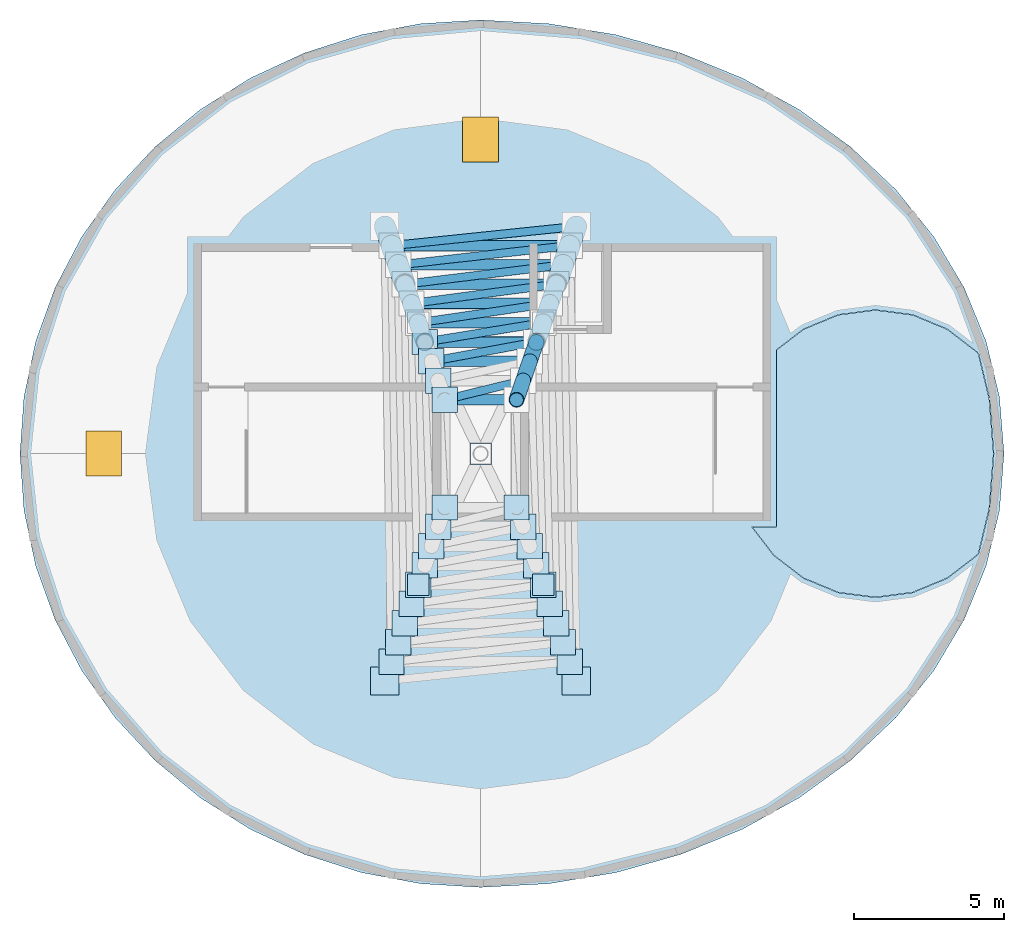
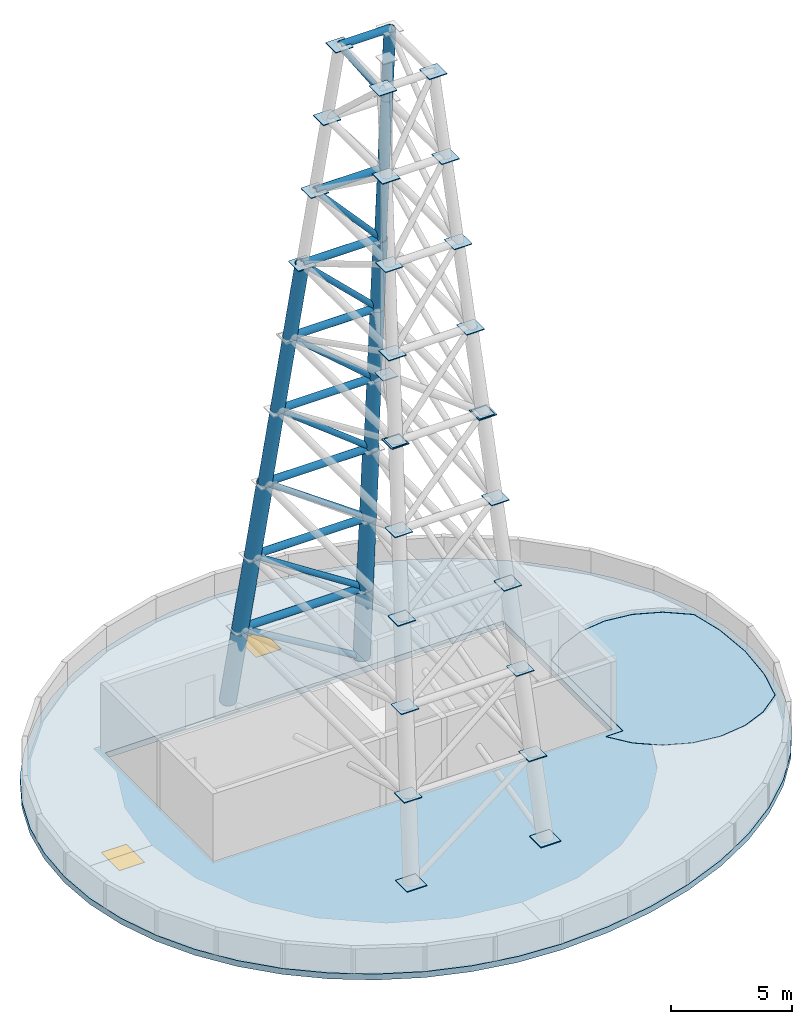
# One storey, part 2 of 4: 31 members, 27 plates, 2 slabs, 2 windows, 2 openings.
"""IFC4 building model written with IfcOpenShell, lengths in metres."""

from ifc_helpers import new_model, si_unit, direction, frame, origin, origin_2d, place, context, subcontext, project, spatial, polyline, rectangle, hollow_circle, outline, extrude, material, layer, layer_set, material_profile, profile_set, type_object, element, fill, save


model = new_model("IFC4")

# Units and contexts
model_context = context("Model", 3, precision=1e-05, world=origin(), true_north=direction((0.0, 1.0)))
body_context = subcontext(model_context, "Body", "Model", "MODEL_VIEW")
ifc_project = project(units=[si_unit("LENGTHUNIT", "METRE"), si_unit("AREAUNIT", "SQUARE_METRE"), si_unit("VOLUMEUNIT", "CUBIC_METRE"), si_unit("PLANEANGLEUNIT", "RADIAN"), si_unit("MASSUNIT", "GRAM", prefix="KILO")], contexts=[model_context])

# Site, building, storey
site_placement = place(None, origin())
site = spatial("IfcSite", under=ifc_project, at=site_placement, CompositionType="ELEMENT")
building_placement = place(site_placement, origin())
building = spatial("IfcBuilding", under=site, at=building_placement, Name="Lazwardi Medical Tower", CompositionType="ELEMENT")
storey_placement = place(building_placement, frame((0.0, 0.0, 316.0)))
storey = spatial("IfcBuildingStorey", under=building, at=storey_placement, Name="RF", CompositionType="ELEMENT", Elevation=316.0)

# Members
ifc_material_1 = material(Name="Steel S460", Category="steel")
ifc_material_profile_1 = material_profile(ifc_material_1, hollow_circle(Radius=0.177734375, WallThickness=0.01611328125, at=origin_2d()), Name="CHS 355.6x16")
ifc_profile_set_1 = profile_set([ifc_material_profile_1], Name="Steel S460")
member_type_1 = type_object("IfcMemberType", Name="MEM-MB-01", PredefinedType="BRACE", material=ifc_profile_set_1)
member_1_placement = place(storey_placement, frame((38.977783203125, 34.95556640625, 4.0), z_axis=(-1.0, 0.0, 0.0), x_axis=(0.0, -1.0, 0.0)))
element("IfcMember", 1, at=member_1_placement, inside=storey, type_object=member_type_1, Name="Broadcast Mast ring strut MB-01 F3 B1", PredefinedType="BRACE", context=body_context, shape_type="SweptSolid", body=[
    extrude(hollow_circle(Radius=0.177734375, WallThickness=0.01611328125, at=origin_2d()), origin(), (0.0, 0.0, 1.0), 5.95556640625),
])
member_2_placement = place(storey_placement, frame((38.755615234375, 34.31103515625, 8.0), z_axis=(-1.0, 0.0, 0.0), x_axis=(0.0, -1.0, 0.0)))
element("IfcMember", 2, at=member_2_placement, inside=storey, type_object=member_type_1, Name="Broadcast Mast ring strut MB-01 F3 B2", PredefinedType="BRACE", context=body_context, shape_type="SweptSolid", body=[
    extrude(hollow_circle(Radius=0.177734375, WallThickness=0.01611328125, at=origin_2d()), origin(), (0.0, 0.0, 1.0), 5.51123046875),
])
member_3_placement = place(storey_placement, frame((38.533203125, 33.666748046875, 12.0), z_axis=(-1.0, 0.0, 0.0), x_axis=(0.0, -1.0, 0.0)))
element("IfcMember", 3, at=member_3_placement, inside=storey, type_object=member_type_1, Name="Broadcast Mast ring strut MB-01 F3 B3", PredefinedType="BRACE", context=body_context, shape_type="SweptSolid", body=[
    extrude(hollow_circle(Radius=0.177734375, WallThickness=0.01611328125, at=origin_2d()), origin(), (0.0, 0.0, 1.0), 5.06640625),
])
member_4_placement = place(storey_placement, frame((38.31103515625, 33.022216796875, 16.0), z_axis=(-1.0, 0.0, 0.0), x_axis=(0.0, -1.0, 0.0)))
element("IfcMember", 4, at=member_4_placement, inside=storey, type_object=member_type_1, Name="Broadcast Mast ring strut MB-01 F3 B4", PredefinedType="BRACE", context=body_context, shape_type="SweptSolid", body=[
    extrude(hollow_circle(Radius=0.177734375, WallThickness=0.01611328125, at=origin_2d()), origin(), (0.0, 0.0, 1.0), 4.6220703125),
])
member_5_placement = place(storey_placement, frame((38.0888671875, 32.377685546875, 20.0), z_axis=(-1.0, 0.0, 0.0), x_axis=(0.0, -1.0, 0.0)))
element("IfcMember", 5, at=member_5_placement, inside=storey, type_object=member_type_1, Name="Broadcast Mast ring strut MB-01 F3 B5", PredefinedType="BRACE", context=body_context, shape_type="SweptSolid", body=[
    extrude(hollow_circle(Radius=0.177734375, WallThickness=0.01611328125, at=origin_2d()), origin(), (0.0, 0.0, 1.0), 4.177734375),
])
member_6_placement = place(storey_placement, frame((37.86669921875, 31.7333984375, 24.0), z_axis=(-1.0, 0.0, 0.0), x_axis=(0.0, -1.0, 0.0)))
element("IfcMember", 6, at=member_6_placement, inside=storey, type_object=member_type_1, Name="Broadcast Mast ring strut MB-01 F3 B6", PredefinedType="BRACE", context=body_context, shape_type="SweptSolid", body=[
    extrude(hollow_circle(Radius=0.177734375, WallThickness=0.01611328125, at=origin_2d()), origin(), (0.0, 0.0, 1.0), 3.7333984375),
])
member_7_placement = place(storey_placement, frame((37.644287109375, 31.0888671875, 28.0), z_axis=(-1.0, 0.0, 0.0), x_axis=(0.0, -1.0, 0.0)))
element("IfcMember", 7, at=member_7_placement, inside=storey, type_object=member_type_1, Name="Broadcast Mast ring strut MB-01 F3 B7", PredefinedType="BRACE", context=body_context, shape_type="SweptSolid", body=[
    extrude(hollow_circle(Radius=0.177734375, WallThickness=0.01611328125, at=origin_2d()), origin(), (0.0, 0.0, 1.0), 3.28857421875),
])
member_8_placement = place(storey_placement, frame((37.201171875, 29.80322265625, 35.97998046875), z_axis=(-1.0, 0.0, 0.0), x_axis=(0.0, -1.0, 0.0)))
element("IfcMember", 8, at=member_8_placement, inside=storey, type_object=member_type_1, Name="Broadcast Mast ring strut MB-01 F3 B9", PredefinedType="BRACE", context=body_context, shape_type="SweptSolid", body=[
    extrude(hollow_circle(Radius=0.177734375, WallThickness=0.01611328125, at=origin_2d()), origin(), (0.0, 0.0, 1.0), 2.40234375),
])
ifc_material_profile_2 = material_profile(ifc_material_1, hollow_circle(Radius=0.136474609375, WallThickness=0.012451171875, at=origin_2d()), Name="CHS 273x12.5")
ifc_profile_set_2 = profile_set([ifc_material_profile_2], Name="Steel S460")
member_type_2 = type_object("IfcMemberType", Name="MEM-MB-02", PredefinedType="BRACE", material=ifc_profile_set_2)
member_9_placement = place(storey_placement, frame((39.198974609375, 35.5966796875, 0.02001953125), z_axis=(-0.837426543672, -0.086920241252, 0.539593972923), x_axis=(0.103239839759, -0.9946564912, 0.0)))
element("IfcMember", 9, at=member_9_placement, inside=storey, type_object=member_type_2, Name="Broadcast Mast lattice brace MB-02 F3 B1", PredefinedType="BRACE", context=body_context, shape_type="SweptSolid", body=[
    extrude(hollow_circle(Radius=0.136474609375, WallThickness=0.012451171875, at=origin_2d()), origin(), (0.0, 0.0, 1.0), 7.3759765625),
])
member_10_placement = place(storey_placement, frame((38.977783203125, 34.95556640625, 4.0), z_axis=(-0.816666434156, -0.091807161734, 0.569760809794), x_axis=(0.111713288479, -0.993740479792, 0.0)))
element("IfcMember", 10, at=member_10_placement, inside=storey, type_object=member_type_2, Name="Broadcast Mast lattice brace MB-02 F3 B2", PredefinedType="BRACE", context=body_context, shape_type="SweptSolid", body=[
    extrude(hollow_circle(Radius=0.136474609375, WallThickness=0.012451171875, at=origin_2d()), origin(), (0.0, 0.0, 1.0), 7.0205078125),
])
member_11_placement = place(storey_placement, frame((38.755615234375, 34.31103515625, 8.0), z_axis=(-0.793838569591, -0.096705903391, 0.600390117905), x_axis=(0.120926628878, -0.992661448042, 0.0)))
element("IfcMember", 11, at=member_11_placement, inside=storey, type_object=member_type_2, Name="Broadcast Mast lattice brace MB-02 F3 B3", PredefinedType="BRACE", context=body_context, shape_type="SweptSolid", body=[
    extrude(hollow_circle(Radius=0.136474609375, WallThickness=0.012451171875, at=origin_2d()), origin(), (0.0, 0.0, 1.0), 6.662353515625),
])
member_12_placement = place(storey_placement, frame((38.533203125, 33.666748046875, 12.0), z_axis=(-0.767072968437, -0.102059905084, 0.633389956399), x_axis=(0.131888837519, -0.991264512901, 0.0)))
element("IfcMember", 12, at=member_12_placement, inside=storey, type_object=member_type_2, Name="Broadcast Mast lattice brace MB-02 F3 B4", PredefinedType="BRACE", context=body_context, shape_type="SweptSolid", body=[
    extrude(hollow_circle(Radius=0.136474609375, WallThickness=0.012451171875, at=origin_2d()), origin(), (0.0, 0.0, 1.0), 6.315185546875),
])
member_13_placement = place(storey_placement, frame((38.31103515625, 33.022216796875, 16.0), z_axis=(-0.735623983072, -0.107759811081, 0.668763918469), x_axis=(0.144940765818, -0.989440333928, 0.0)))
element("IfcMember", 13, at=member_13_placement, inside=storey, type_object=member_type_2, Name="Broadcast Mast lattice brace MB-02 F3 B5", PredefinedType="BRACE", context=body_context, shape_type="SweptSolid", body=[
    extrude(hollow_circle(Radius=0.136474609375, WallThickness=0.012451171875, at=origin_2d()), origin(), (0.0, 0.0, 1.0), 5.981201171875),
])
member_14_placement = place(storey_placement, frame((38.0888671875, 32.377685546875, 20.0), z_axis=(-0.698579772448, -0.113785459788, 0.706427045537), x_axis=(0.160762549197, -0.986993111818, 0.0)))
element("IfcMember", 14, at=member_14_placement, inside=storey, type_object=member_type_2, Name="Broadcast Mast lattice brace MB-02 F3 B6", PredefinedType="BRACE", context=body_context, shape_type="SweptSolid", body=[
    extrude(hollow_circle(Radius=0.136474609375, WallThickness=0.012451171875, at=origin_2d()), origin(), (0.0, 0.0, 1.0), 5.662353515625),
])
member_15_placement = place(storey_placement, frame((37.86669921875, 31.7333984375, 24.0), z_axis=(-0.654888372799, -0.120221493929, 0.746101877474), x_axis=(0.180558353603, -0.983564273926, 0.0)))
element("IfcMember", 15, at=member_15_placement, inside=storey, type_object=member_type_2, Name="Broadcast Mast lattice brace MB-02 F3 B7", PredefinedType="BRACE", context=body_context, shape_type="SweptSolid", body=[
    extrude(hollow_circle(Radius=0.136474609375, WallThickness=0.012451171875, at=origin_2d()), origin(), (0.0, 0.0, 1.0), 5.361083984375),
])
member_16_placement = place(storey_placement, frame((37.422119140625, 30.4443359375, 32.0), z_axis=(-0.545420155247, -0.133296726634, 0.827495520785), x_axis=(0.237405696647, -0.97141059043, 0.0)))
element("IfcMember", 16, at=member_16_placement, inside=storey, type_object=member_type_2, Name="Broadcast Mast lattice brace MB-02 F3 B9", PredefinedType="BRACE", context=body_context, shape_type="SweptSolid", body=[
    extrude(hollow_circle(Radius=0.136474609375, WallThickness=0.012451171875, at=origin_2d()), origin(), (0.0, 0.0, 1.0), 4.8095703125),
])
ifc_material_profile_3 = material_profile(ifc_material_1, hollow_circle(Radius=0.35546875, WallThickness=0.031982421875, at=origin_2d()), Name="CHS 711x32")
ifc_profile_set_3 = profile_set([ifc_material_profile_3], Name="Steel S460")
member_type_3 = type_object("IfcMemberType", Name="MEM-ML-01", PredefinedType="POST", material=ifc_profile_set_3)
for number, where, z_axis, x_axis, name in (
    (17, (39.199951171875, 35.60009765625, 0.02001953125), (-0.055020017926, -0.159618513542, 0.985644321123), (0.945411031533, -0.325880317687, 0.0), "Broadcast Mast leg ML-01 L3 tier 1"),
    (18, (32.800048828125, 35.60009765625, 0.02001953125), (0.055020017926, -0.159618513542, 0.985644321123), (0.945411031533, 0.325880317687, 0.0), "Broadcast Mast leg ML-01 L4 tier 1"),
):
    element("IfcMember", number, at=place(storey_placement, frame(where, z_axis=z_axis, x_axis=x_axis)), inside=storey, type_object=member_type_3, Name=name, PredefinedType="POST", context=body_context, shape_type="SweptSolid", body=[
        extrude(hollow_circle(Radius=0.35546875, WallThickness=0.031982421875, at=origin_2d()), origin(), (0.0, 0.0, 1.0), 4.037841796875),
    ])
for number, where, z_axis, x_axis, name in (
    (19, (38.977783203125, 34.95556640625, 4.0), (-0.054752441478, -0.158842247803, 0.985784616671), (0.945411031533, -0.325880317687, 0.0), "Broadcast Mast leg ML-01 L3 tier 2"),
    (20, (33.022216796875, 34.95556640625, 4.0), (0.054752441478, -0.158842247803, 0.985784616671), (0.945411031533, 0.325880317687, 0.0), "Broadcast Mast leg ML-01 L4 tier 2"),
    (21, (38.755615234375, 34.31103515625, 8.0), (-0.054812952082, -0.158783074144, 0.985790786957), (0.945262539536, -0.32631078951, 0.0), "Broadcast Mast leg ML-01 L3 tier 3"),
    (22, (33.244384765625, 34.31103515625, 8.0), (0.054812952082, -0.158783074144, 0.985790786957), (0.945262539536, 0.32631078951, 0.0), "Broadcast Mast leg ML-01 L4 tier 3"),
):
    element("IfcMember", number, at=place(storey_placement, frame(where, z_axis=z_axis, x_axis=x_axis)), inside=storey, type_object=member_type_3, Name=name, PredefinedType="POST", context=body_context, shape_type="SweptSolid", body=[
        extrude(hollow_circle(Radius=0.35546875, WallThickness=0.031982421875, at=origin_2d()), origin(), (0.0, 0.0, 1.0), 4.0576171875),
    ])
ifc_material_profile_4 = material_profile(ifc_material_1, hollow_circle(Radius=0.304931640625, WallThickness=0.028076171875, at=origin_2d()), Name="CHS 610x28")
ifc_profile_set_4 = profile_set([ifc_material_profile_4], Name="Steel S460")
member_type_4 = type_object("IfcMemberType", Name="MEM-ML-02", PredefinedType="POST", material=ifc_profile_set_4)
for number, where, z_axis, x_axis, name in (
    (23, (38.533203125, 33.666748046875, 12.0), (-0.054752441478, -0.158842247803, 0.985784616671), (0.945411031533, -0.325880317687, 0.0), "Broadcast Mast leg ML-02 L3 tier 4"),
    (24, (33.466796875, 33.666748046875, 12.0), (0.054752441478, -0.158842247803, 0.985784616671), (0.945411031533, 0.325880317687, 0.0), "Broadcast Mast leg ML-02 L4 tier 4"),
    (25, (38.31103515625, 33.022216796875, 16.0), (-0.054752441478, -0.158842247803, 0.985784616671), (0.945411031533, -0.325880317687, 0.0), "Broadcast Mast leg ML-02 L3 tier 5"),
    (26, (33.68896484375, 33.022216796875, 16.0), (0.054752441478, -0.158842247803, 0.985784616671), (0.945411031533, 0.325880317687, 0.0), "Broadcast Mast leg ML-02 L4 tier 5"),
    (27, (38.0888671875, 32.377685546875, 20.0), (-0.054752964663, -0.158783597523, 0.985794036307), (0.945372981626, -0.325990683319, 0.0), "Broadcast Mast leg ML-02 L3 tier 6"),
    (28, (33.9111328125, 32.377685546875, 20.0), (0.054752964663, -0.158783597523, 0.985794036307), (0.945372981626, 0.325990683319, 0.0), "Broadcast Mast leg ML-02 L4 tier 6"),
):
    element("IfcMember", number, at=place(storey_placement, frame(where, z_axis=z_axis, x_axis=x_axis)), inside=storey, type_object=member_type_4, Name=name, PredefinedType="POST", context=body_context, shape_type="SweptSolid", body=[
        extrude(hollow_circle(Radius=0.304931640625, WallThickness=0.028076171875, at=origin_2d()), origin(), (0.0, 0.0, 1.0), 4.0576171875),
    ])
ifc_material_profile_5 = material_profile(ifc_material_1, hollow_circle(Radius=0.25390625, WallThickness=0.02490234375, at=origin_2d()), Name="CHS 508x25")
ifc_profile_set_5 = profile_set([ifc_material_profile_5], Name="Steel S460")
member_type_5 = type_object("IfcMemberType", Name="MEM-ML-03", PredefinedType="POST", material=ifc_profile_set_5)
for number, where, z_axis, x_axis, name in (
    (29, (37.86669921875, 31.7333984375, 24.0), (-0.054812428327, -0.158841724242, 0.985781367414), (0.945300659756, -0.326200341302, 0.0), "Broadcast Mast leg ML-03 L3 tier 7"),
    (30, (37.644287109375, 31.0888671875, 28.0), (-0.054752441478, -0.158842247803, 0.985784616671), (0.945411031533, -0.325880317687, 0.0), "Broadcast Mast leg ML-03 L3 tier 8"),
):
    element("IfcMember", number, at=place(storey_placement, frame(where, z_axis=z_axis, x_axis=x_axis)), inside=storey, type_object=member_type_5, Name=name, PredefinedType="POST", context=body_context, shape_type="SweptSolid", body=[
        extrude(hollow_circle(Radius=0.25390625, WallThickness=0.02490234375, at=origin_2d()), origin(), (0.0, 0.0, 1.0), 4.0576171875),
    ])
member_17_placement = place(storey_placement, frame((37.422119140625, 30.4443359375, 32.0), z_axis=(-0.055020548819, -0.159559591575, 0.9856538317), x_axis=(0.945372981626, -0.325990683319, 0.0)))
element("IfcMember", 31, at=member_17_placement, inside=storey, type_object=member_type_5, Name="Broadcast Mast leg ML-03 L3 tier 9", PredefinedType="POST", context=body_context, shape_type="SweptSolid", body=[
    extrude(hollow_circle(Radius=0.25390625, WallThickness=0.02490234375, at=origin_2d()), origin(), (0.0, 0.0, 1.0), 4.037841796875),
])

# Plates
ifc_layer_1 = layer(ifc_material_1, 0.0400390625)
ifc_layer_set_1 = layer_set([ifc_layer_1], Name="Steel S460")
plate_type = type_object("IfcPlateType", Name="PLT-GUS-01", PredefinedType="USERDEFINED", material=ifc_layer_set_1)
for number, where, z_axis, x_axis, name in (
    (32, (32.800048828125, 20.39990234375, 0.0), (0.0, 0.0, 1.0), (1.0, 0.0, 0.0), "Broadcast Mast base plate GP-01 L1"),
    (33, (39.199951171875, 20.39990234375, 0.0), (0.0, 0.0, 1.0), (1.0, 0.0, 0.0), "Broadcast Mast base plate GP-01 L2"),
):
    element("IfcPlate", number, at=place(storey_placement, frame(where, z_axis=z_axis, x_axis=x_axis)), inside=storey, type_object=plate_type, Name=name, ObjectType="GUSSET_PLATE", PredefinedType="USERDEFINED", context=body_context, shape_type="SweptSolid", body=[
        extrude(rectangle(XDim=0.949951171875, YDim=0.949951171875, at=origin_2d()), origin(), (0.0, 0.0, 1.0), 0.0400390625),
    ])
for number, where, z_axis, x_axis, name in (
    (34, (33.022216796875, 21.04443359375, 3.97998046875), (0.0, 0.0, 1.0), (1.0, 0.0, 0.0), "Broadcast Mast cap plate GP-01 L1 B1"),
    (35, (38.977783203125, 21.04443359375, 3.97998046875), (0.0, 0.0, 1.0), (1.0, 0.0, 0.0), "Broadcast Mast cap plate GP-01 L2 B1"),
    (36, (33.244384765625, 21.68896484375, 7.97998046875), (0.0, 0.0, 1.0), (1.0, 0.0, 0.0), "Broadcast Mast cap plate GP-01 L1 B2"),
    (37, (38.755615234375, 21.68896484375, 7.97998046875), (0.0, 0.0, 1.0), (1.0, 0.0, 0.0), "Broadcast Mast cap plate GP-01 L2 B2"),
    (38, (33.466796875, 22.333251953125, 11.97998046875), (0.0, 0.0, 1.0), (1.0, 0.0, 0.0), "Broadcast Mast cap plate GP-01 L1 B3"),
    (39, (38.533203125, 22.333251953125, 11.97998046875), (0.0, 0.0, 1.0), (1.0, 0.0, 0.0), "Broadcast Mast cap plate GP-01 L2 B3"),
    (40, (33.68896484375, 22.977783203125, 15.97998046875), (0.0, 0.0, 1.0), (1.0, 0.0, 0.0), "Broadcast Mast cap plate GP-01 L1 B4"),
    (41, (38.31103515625, 22.977783203125, 15.97998046875), (0.0, 0.0, 1.0), (1.0, 0.0, 0.0), "Broadcast Mast cap plate GP-01 L2 B4"),
    (42, (33.9111328125, 23.622314453125, 19.97998046875), (0.0, 0.0, 1.0), (1.0, 0.0, 0.0), "Broadcast Mast cap plate GP-01 L1 B5"),
    (43, (38.0888671875, 23.622314453125, 19.97998046875), (0.0, 0.0, 1.0), (1.0, 0.0, 0.0), "Broadcast Mast cap plate GP-01 L2 B5"),
    (44, (34.13330078125, 24.2666015625, 23.97998046875), (0.0, 0.0, 1.0), (1.0, 0.0, 0.0), "Broadcast Mast cap plate GP-01 L1 B6"),
    (45, (37.86669921875, 24.2666015625, 23.97998046875), (0.0, 0.0, 1.0), (1.0, 0.0, 0.0), "Broadcast Mast cap plate GP-01 L2 B6"),
    (46, (34.13330078125, 31.7333984375, 23.97998046875), (0.0, 0.0, 1.0), (1.0, 0.0, 0.0), "Broadcast Mast cap plate GP-01 L4 B6"),
    (47, (34.355712890625, 24.9111328125, 27.97998046875), (0.0, 0.0, 1.0), (1.0, 0.0, 0.0), "Broadcast Mast cap plate GP-01 L1 B7"),
    (48, (37.644287109375, 24.9111328125, 27.97998046875), (0.0, 0.0, 1.0), (1.0, 0.0, 0.0), "Broadcast Mast cap plate GP-01 L2 B7"),
    (49, (34.355712890625, 31.0888671875, 27.97998046875), (0.0, 0.0, 1.0), (1.0, 0.0, 0.0), "Broadcast Mast cap plate GP-01 L4 B7"),
    (50, (34.577880859375, 25.5556640625, 31.97998046875), (0.0, 0.0, 1.0), (1.0, 0.0, 0.0), "Broadcast Mast cap plate GP-01 L1 B8"),
    (51, (37.422119140625, 25.5556640625, 31.97998046875), (0.0, 0.0, 1.0), (1.0, 0.0, 0.0), "Broadcast Mast cap plate GP-01 L2 B8"),
    (52, (34.577880859375, 30.4443359375, 31.97998046875), (0.0, 0.0, 1.0), (1.0, 0.0, 0.0), "Broadcast Mast cap plate GP-01 L4 B8"),
    (53, (34.800048828125, 26.199951171875, 35.9599609375), (0.0, 0.0, 1.0), (1.0, 0.0, 0.0), "Broadcast Mast cap plate GP-01 L1 B9"),
    (54, (37.199951171875, 26.199951171875, 35.9599609375), (0.0, 0.0, 1.0), (1.0, 0.0, 0.0), "Broadcast Mast cap plate GP-01 L2 B9"),
    (55, (34.800048828125, 29.800048828125, 35.9599609375), (0.0, 0.0, 1.0), (1.0, 0.0, 0.0), "Broadcast Mast cap plate GP-01 L4 B9"),
):
    element("IfcPlate", number, at=place(storey_placement, frame(where, z_axis=z_axis, x_axis=x_axis)), inside=storey, type_object=plate_type, Name=name, ObjectType="GUSSET_PLATE", PredefinedType="USERDEFINED", context=body_context, shape_type="SweptSolid", body=[
        extrude(rectangle(XDim=0.85009765625, YDim=0.85009765625, at=origin_2d()), origin(), (0.0, 0.0, 1.0), 0.0400390625),
    ])
for number, where, z_axis, x_axis, name in (
    (56, (33.9111328125, 23.622314453125, 19.97998046875), (0.0, 0.0, 1.0), (1.0, 0.0, 0.0), "Broadcast Mast diaphragm node plate GP-01 D1"),
    (57, (38.0888671875, 23.622314453125, 19.97998046875), (0.0, 0.0, 1.0), (1.0, 0.0, 0.0), "Broadcast Mast diaphragm node plate GP-01 D2"),
    (58, (36.0, 28.0, 19.97998046875), (0.0, 0.0, 1.0), (1.0, 0.0, 0.0), "Broadcast Mast central seat plate GP-01"),
):
    element("IfcPlate", number, at=place(storey_placement, frame(where, z_axis=z_axis, x_axis=x_axis)), inside=storey, type_object=plate_type, Name=name, ObjectType="GUSSET_PLATE", PredefinedType="USERDEFINED", context=body_context, shape_type="SweptSolid", body=[
        extrude(rectangle(XDim=0.719970703125, YDim=0.719970703125, at=origin_2d()), origin(), (0.0, 0.0, 1.0), 0.0400390625),
    ])

# Slab
ifc_material_2 = material(Name="Concrete C60/75", Category="concrete")
ifc_layer_2 = layer(ifc_material_2, 0.3798828125)
ifc_layer_set_2 = layer_set([ifc_layer_2], Name="Concrete C60/75")
slab_type_1 = type_object("IfcSlabType", Name="SLB-HELI-380", PredefinedType="ROOF", material=ifc_layer_set_2)
slab_1_placement = place(storey_placement, frame((0.0, 0.0, -0.3798828125)))
element("IfcSlab", 59, at=slab_1_placement, inside=storey, type_object=slab_type_1, Name="Emergency helipad structural roof deck SR-03 RF", PredefinedType="ROOF", context=body_context, shape_type="SweptSolid", body=[
    extrude(outline(polyline([(53.003662109375, 29.837646484375), (52.646240234375, 31.326416015625), (52.593994140625, 31.39404296875), (51.60009765625, 32.156982421875), (50.4423828125, 32.636474609375), (49.199951171875, 32.800048828125), (47.957763671875, 32.636474609375), (46.800048828125, 32.156982421875), (45.89990234375, 31.46630859375), (45.89990234375, 25.550048828125), (45.081298828125, 25.550048828125), (45.805908203125, 24.60595703125), (46.800048828125, 23.843017578125), (47.957763671875, 23.363525390625), (49.199951171875, 23.199951171875), (50.4423828125, 23.363525390625), (51.60009765625, 23.843017578125), (52.593994140625, 24.60595703125), (52.646240234375, 24.673583984375), (53.003662109375, 26.162353515625), (53.14892578125, 28.0), (53.003662109375, 29.837646484375)])), origin(), (0.0, 0.0, 1.0), 0.3798828125),
])

# Slab, openings, windows
ifc_material_3 = material(Name="Concrete C50/60", Category="concrete")
ifc_layer_3 = layer(ifc_material_3, 0.300048828125)
ifc_layer_set_3 = layer_set([ifc_layer_3], Name="Concrete C50/60")
slab_type_2 = type_object("IfcSlabType", Name="SLB-ROOF-300", PredefinedType="ROOF", material=ifc_layer_set_3)
slab_2_placement = place(storey_placement, frame((0.0, 0.0, -0.300048828125)))
slab_2 = element("IfcSlab", 60, at=slab_2_placement, inside=storey, type_object=slab_type_2, Name="RF Roof Slab", PredefinedType="ROOF", context=body_context, shape_type="SweptSolid", body=[
    extrude(outline(polyline([(33.989990234375, 13.6240234375), (36.0, 13.5), (38.2841796875, 13.6240234375), (40.529296875, 13.994140625), (42.697021484375, 14.603759765625), (44.75, 15.442626953125), (46.6533203125, 16.496337890625), (48.37451171875, 17.7470703125), (49.8837890625, 19.173095703125), (51.155517578125, 20.75), (52.16796875, 22.451171875), (52.90380859375, 24.2470703125), (53.350341796875, 26.107421875), (53.5, 28.0), (53.350341796875, 29.892578125), (52.90380859375, 31.7529296875), (52.16796875, 33.548828125), (51.155517578125, 35.25), (49.8837890625, 36.826904296875), (48.37451171875, 38.2529296875), (46.6533203125, 39.503662109375), (44.75, 40.557373046875), (42.697021484375, 41.396240234375), (40.529296875, 42.005859375), (38.2841796875, 42.3759765625), (36.0, 42.5), (33.989990234375, 42.3759765625), (32.01416015625, 42.005859375), (30.106689453125, 41.396240234375), (28.300048828125, 40.557373046875), (26.625, 39.503662109375), (25.110595703125, 38.2529296875), (23.782470703125, 36.826904296875), (22.6630859375, 35.25), (21.772216796875, 33.548828125), (21.124755859375, 31.7529296875), (20.731689453125, 29.892578125), (20.60009765625, 28.0), (20.731689453125, 26.107421875), (21.124755859375, 24.2470703125), (21.772216796875, 22.451171875), (22.6630859375, 20.75), (23.782470703125, 19.173095703125), (25.110595703125, 17.7470703125), (26.625, 16.496337890625), (28.300048828125, 15.442626953125), (30.106689453125, 14.603759765625), (32.01416015625, 13.994140625), (33.989990234375, 13.6240234375)]), holes=[polyline([(53.013427734375, 29.83837890625), (53.158935546875, 28.000732421875), (53.158935546875, 28.0), (53.158935546875, 27.999267578125), (53.013427734375, 26.16162109375), (53.013427734375, 26.160888671875), (53.01318359375, 26.16015625), (52.656005859375, 24.67138671875), (52.655517578125, 24.67041015625), (52.6552734375, 24.66943359375), (52.65478515625, 24.66845703125), (52.654052734375, 24.667724609375), (52.60205078125, 24.599853515625), (52.6015625, 24.59912109375), (52.600830078125, 24.598388671875), (52.60009765625, 24.597900390625), (51.606201171875, 23.835205078125), (51.60546875, 23.834716796875), (51.6044921875, 23.834228515625), (51.603759765625, 23.833740234375), (50.4462890625, 23.354248046875), (50.4453125, 23.35400390625), (50.444580078125, 23.353759765625), (50.443603515625, 23.353515625), (49.201416015625, 23.190185546875), (49.200439453125, 23.18994140625), (49.19970703125, 23.18994140625), (49.19873046875, 23.190185546875), (47.956298828125, 23.353515625), (47.95556640625, 23.353759765625), (47.95458984375, 23.35400390625), (47.953857421875, 23.354248046875), (46.796142578125, 23.833740234375), (46.79541015625, 23.834228515625), (46.794677734375, 23.834716796875), (46.7939453125, 23.835205078125), (45.7998046875, 24.597900390625), (45.799072265625, 24.598388671875), (45.798583984375, 24.59912109375), (45.798095703125, 24.599853515625), (45.073486328125, 25.5439453125), (45.072998046875, 25.544677734375), (45.072509765625, 25.545654296875), (45.072021484375, 25.54638671875), (45.07177734375, 25.54736328125), (45.071533203125, 25.54833984375), (45.071533203125, 25.54931640625), (45.0712890625, 25.55029296875), (45.071533203125, 25.55126953125), (45.07177734375, 25.552001953125), (45.072021484375, 25.552978515625), (45.072265625, 25.553955078125), (45.07275390625, 25.554931640625), (45.0732421875, 25.5556640625), (45.07373046875, 25.556396484375), (45.074462890625, 25.55712890625), (45.0751953125, 25.557861328125), (45.075927734375, 25.558349609375), (45.076904296875, 25.558837890625), (45.07763671875, 25.559326171875), (45.07861328125, 25.5595703125), (45.07958984375, 25.559814453125), (45.08056640625, 25.56005859375), (45.081298828125, 25.56005859375), (45.889892578125, 25.56005859375), (45.889892578125, 31.46630859375), (45.89013671875, 31.46728515625), (45.89013671875, 31.46826171875), (45.890380859375, 31.46923828125), (45.890869140625, 31.47021484375), (45.891357421875, 31.47119140625), (45.891845703125, 31.47216796875), (45.892333984375, 31.472900390625), (45.89306640625, 31.4736328125), (45.893798828125, 31.474365234375), (46.7939453125, 32.164794921875), (46.794677734375, 32.165283203125), (46.79541015625, 32.165771484375), (46.796142578125, 32.166259765625), (47.953857421875, 32.645751953125), (47.95458984375, 32.64599609375), (47.95556640625, 32.646240234375), (47.956298828125, 32.646484375), (49.19873046875, 32.809814453125), (49.19970703125, 32.81005859375), (49.200439453125, 32.81005859375), (49.201416015625, 32.809814453125), (50.443603515625, 32.646484375), (50.444580078125, 32.646240234375), (50.4453125, 32.64599609375), (50.4462890625, 32.645751953125), (51.603759765625, 32.166259765625), (51.6044921875, 32.165771484375), (51.60546875, 32.165283203125), (51.606201171875, 32.164794921875), (52.60009765625, 31.402099609375), (52.600830078125, 31.401611328125), (52.6015625, 31.40087890625), (52.60205078125, 31.400146484375), (52.654052734375, 31.332275390625), (52.65478515625, 31.33154296875), (52.6552734375, 31.33056640625), (52.655517578125, 31.32958984375), (52.656005859375, 31.32861328125), (53.01318359375, 29.83984375), (53.013427734375, 29.839111328125), (53.013427734375, 29.83837890625)]), polyline([(26.52490234375, 25.885009765625), (26.52490234375, 34.89990234375), (26.52490234375, 34.900390625), (26.525146484375, 34.90087890625), (26.525146484375, 34.901611328125), (26.525390625, 34.90185546875), (26.525634765625, 34.90234375), (26.52587890625, 34.90283203125), (26.526123046875, 34.9033203125), (26.526611328125, 34.903564453125), (26.52685546875, 34.90380859375), (26.527099609375, 34.904296875), (26.527587890625, 34.904296875), (26.528076171875, 34.904541015625), (26.528564453125, 34.90478515625), (26.529052734375, 34.90478515625), (26.529541015625, 34.905029296875), (26.530029296875, 34.905029296875), (45.570068359375, 34.905029296875), (45.570556640625, 34.905029296875), (45.571044921875, 34.90478515625), (45.571533203125, 34.90478515625), (45.572021484375, 34.904541015625), (45.572509765625, 34.904296875), (45.57275390625, 34.904296875), (45.5732421875, 34.90380859375), (45.573486328125, 34.903564453125), (45.573974609375, 34.9033203125), (45.57421875, 34.90283203125), (45.574462890625, 34.90234375), (45.57470703125, 34.90185546875), (45.57470703125, 34.901611328125), (45.574951171875, 34.90087890625), (45.574951171875, 34.900390625), (45.574951171875, 34.89990234375), (45.574951171875, 25.885009765625), (45.574951171875, 25.884521484375), (45.574951171875, 25.884033203125), (45.57470703125, 25.883544921875), (45.57470703125, 25.883056640625), (45.574462890625, 25.882568359375), (45.57421875, 25.882080078125), (45.573974609375, 25.8818359375), (45.573486328125, 25.881591796875), (45.5732421875, 25.881103515625), (45.57275390625, 25.880859375), (45.572509765625, 25.880615234375), (45.572021484375, 25.88037109375), (45.571533203125, 25.880126953125), (45.571044921875, 25.880126953125), (45.570556640625, 25.8798828125), (45.570068359375, 25.8798828125), (26.530029296875, 25.8798828125), (26.529541015625, 25.8798828125), (26.529052734375, 25.880126953125), (26.528564453125, 25.880126953125), (26.528076171875, 25.88037109375), (26.527587890625, 25.880615234375), (26.527099609375, 25.880859375), (26.52685546875, 25.881103515625), (26.526611328125, 25.881591796875), (26.526123046875, 25.8818359375), (26.52587890625, 25.882080078125), (26.525634765625, 25.882568359375), (26.525390625, 25.883056640625), (26.525146484375, 25.883544921875), (26.525146484375, 25.884033203125), (26.52490234375, 25.884521484375), (26.52490234375, 25.885009765625)])]), origin(), (0.0, 0.0, 1.0), 0.300048828125),
])
opening_1_placement = place(slab_2_placement, frame((23.39990234375, 28.0, 0.0)))
opening_1 = element("IfcOpeningElement", 61, at=opening_1_placement, cuts=slab_2, Name="Opening RH-01", PredefinedType="OPENING", context=body_context, shape_type="SweptSolid", body=[
    extrude(rectangle(XDim=1.199951171875, YDim=1.5, at=origin_2d()), origin(), (0.0, 0.0, 1.0), 0.300048828125),
])
opening_2_placement = place(slab_2_placement, frame((36.0, 38.5, 0.0)))
opening_2 = element("IfcOpeningElement", 62, at=opening_2_placement, cuts=slab_2, Name="Opening RH-01", PredefinedType="OPENING", context=body_context, shape_type="SweptSolid", body=[
    extrude(rectangle(XDim=1.199951171875, YDim=1.5, at=origin_2d()), origin(), (0.0, 0.0, 1.0), 0.300048828125),
])
ifc_material_4 = material(Name="Thermally broken aluminium roof access hatch", Category="aluminium")
window_type = type_object("IfcWindowType", Name="WIN-HTCH-1200", PartitioningType="SINGLE_PANEL", PredefinedType="SKYLIGHT", material=ifc_material_4)
window_1_placement = place(opening_1_placement, frame((0.0, 0.0, 0.25)))
window_1 = element("IfcWindow", 63, at=window_1_placement, inside=storey, type_object=window_type, Name="RF Roof Access Hatch RH-01", OverallHeight=1.5, OverallWidth=1.199951171875, PartitioningType="SINGLE_PANEL", PredefinedType="SKYLIGHT", context=body_context, shape_type="SweptSolid", body=[
    extrude(rectangle(XDim=1.199951171875, YDim=1.5, at=origin_2d()), origin(), (0.0, 0.0, 1.0), 0.050048828125),
])
fill(opening_1, window_1)
window_2_placement = place(opening_2_placement, frame((0.0, 0.0, 0.25)))
window_2 = element("IfcWindow", 64, at=window_2_placement, inside=storey, type_object=window_type, Name="RF Roof Access Hatch RH-02", OverallHeight=1.5, OverallWidth=1.199951171875, PartitioningType="SINGLE_PANEL", PredefinedType="SKYLIGHT", context=body_context, shape_type="SweptSolid", body=[
    extrude(rectangle(XDim=1.199951171875, YDim=1.5, at=origin_2d()), origin(), (0.0, 0.0, 1.0), 0.050048828125),
])
fill(opening_2, window_2)

save(model, "model.ifc")
